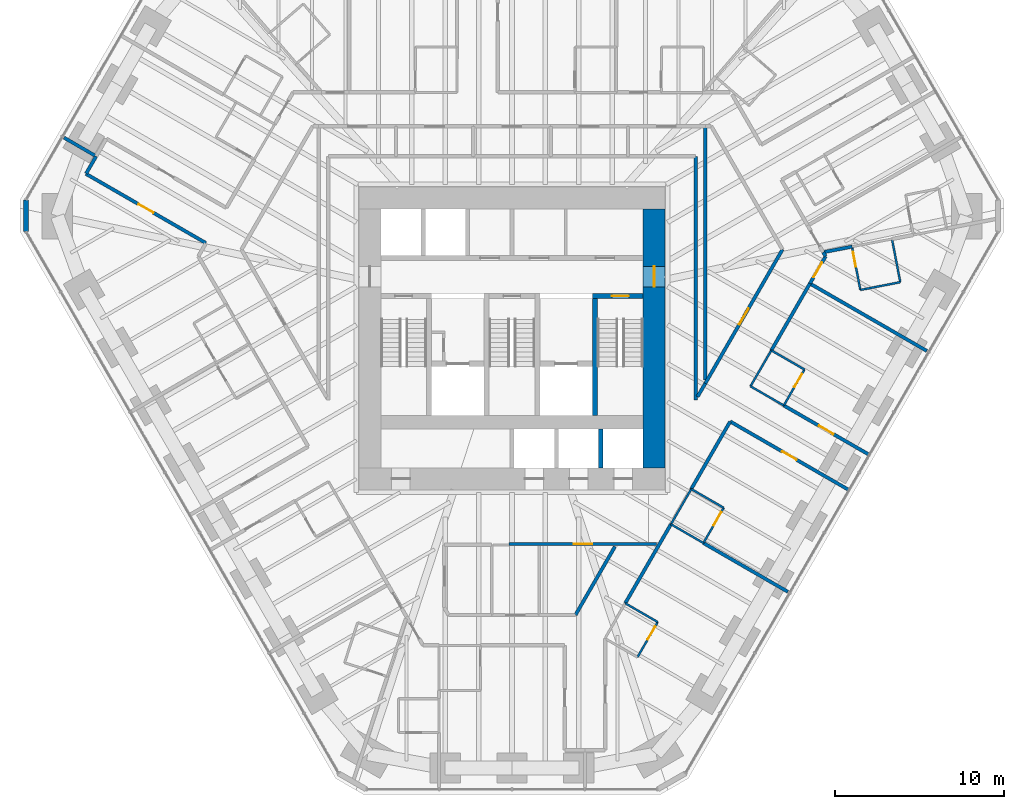
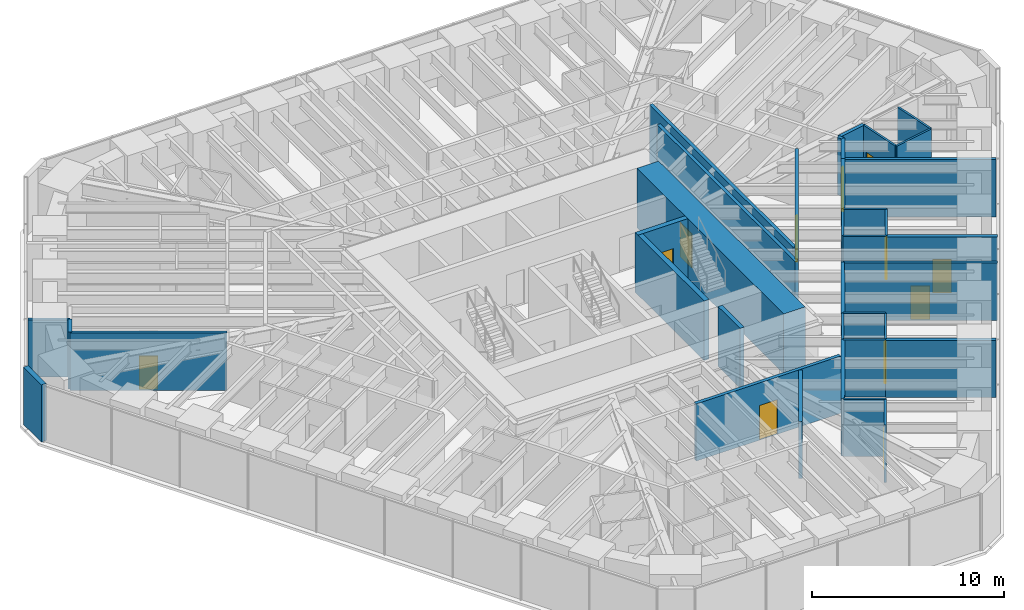
# One storey, part 13 of 17: 37 walls, 12 doors, 12 openings.
"""IFC4 building model written with IfcOpenShell, lengths in metres."""

from ifc_helpers import new_model, si_unit, direction, frame, frame_2d, origin, place, context, subcontext, project, spatial, rectangle, extrude, material, layer, layer_set, type_object, element, fill, save


model = new_model("IFC4")

# Units and contexts
model_context = context("Model", 3, precision=1e-05, world=origin(), true_north=direction((0.0, 1.0)))
body_context = subcontext(model_context, "Body", "Model", "MODEL_VIEW")
ifc_project = project(units=[si_unit("LENGTHUNIT", "METRE"), si_unit("AREAUNIT", "SQUARE_METRE"), si_unit("VOLUMEUNIT", "CUBIC_METRE"), si_unit("PLANEANGLEUNIT", "RADIAN"), si_unit("MASSUNIT", "GRAM", prefix="KILO")], contexts=[model_context])

# Site, building, storey
site_placement = place(None, origin())
site = spatial("IfcSite", under=ifc_project, at=site_placement, CompositionType="ELEMENT")
building_placement = place(site_placement, origin())
building = spatial("IfcBuilding", under=site, at=building_placement, Name="Sandreach Pilgrim Tower", CompositionType="ELEMENT")
storey_placement = place(building_placement, frame((0.0, 0.0, 123.39990234375)))
storey = spatial("IfcBuildingStorey", under=building, at=storey_placement, Name="L30", CompositionType="ELEMENT", Elevation=123.39990234375)

# Wall, opening, door
ifc_material_1 = material(Name="Moisture-resistant gypsum board on steel studs", Category="steel")
ifc_layer_1 = layer(ifc_material_1, 0.1201171875)
ifc_layer_set_1 = layer_set([ifc_layer_1], Name="Bathroom partition 120")
wall_type_1 = type_object("IfcWallType", Name="Bathroom partition 120", PredefinedType="PARTITIONING", material=ifc_layer_set_1)
wall_1_placement = place(storey_placement, frame((7.409912109375, -20.389892578125, 0.0), z_axis=(0.0, 0.0, 1.0), x_axis=(0.499737123639, 0.866177122335, 0.0)))
wall_1 = element("IfcWall", 1, at=wall_1_placement, inside=storey, type_object=wall_type_1, Name="Bathroom partition L30-116", PredefinedType="PARTITIONING", context=body_context, shape_type="SweptSolid", body=[
    extrude(rectangle(XDim=2.401123046875, YDim=0.1201171875, at=frame_2d((1.20068359375, 0.0))), origin(), (0.0, 0.0, 1.0), 3.64013671875),
])
opening_1_placement = place(wall_1_placement, frame((1.201416015625, 0.0, 0.0)))
opening_1 = element("IfcOpeningElement", 2, at=opening_1_placement, cuts=wall_1, Name="Opening D09-11B", PredefinedType="OPENING", context=body_context, shape_type="SweptSolid", body=[
    extrude(rectangle(XDim=0.89990234375, YDim=2.030029296875, at=frame_2d((0.449951171875, 1.01513671875))), frame((0.0, 0.06005859375, 0.0), z_axis=(0.0, -1.0, 0.0), x_axis=(1.0, 0.0, 0.0)), (0.0, 0.0, 1.0), 0.1201171875),
])
ifc_material_2 = material(Name="Timber door, steel frame", Category="steel")
door_type_1 = type_object("IfcDoorType", Name="Bathroom door", OperationType="SINGLE_SWING_LEFT", PredefinedType="DOOR", material=ifc_material_2)
door_1_placement = place(opening_1_placement, origin())
door_1 = element("IfcDoor", 3, at=door_1_placement, inside=storey, type_object=door_type_1, Name="Door 3011B", OperationType="SINGLE_SWING_RIGHT", OverallHeight=2.030029296875, OverallWidth=0.89990234375, PredefinedType="DOOR", context=body_context, shape_type="SweptSolid", body=[
    extrude(rectangle(XDim=0.89990234375, YDim=2.030029296875, at=frame_2d((0.449951171875, 1.01513671875))), frame((0.0, 0.02490234375, 0.0), z_axis=(0.0, -1.0, 0.0), x_axis=(1.0, 0.0, 0.0)), (0.0, 0.0, 1.0), 0.050048828125),
])
fill(opening_1, door_1)

# Walls
wall_2_placement = place(storey_placement, frame((8.610107421875, -18.31005859375, 0.0), z_axis=(0.0, 0.0, 1.0), x_axis=(-0.865732595383, 0.500506816428, 0.0)))
element("IfcWall", 4, at=wall_2_placement, inside=storey, type_object=wall_type_1, Name="Bathroom partition L30-118", PredefinedType="PARTITIONING", context=body_context, shape_type="SweptSolid", body=[
    extrude(rectangle(XDim=2.218017578125, YDim=0.1201171875, at=frame_2d((1.10888671875, 0.0))), origin(), (0.0, 0.0, 1.0), 3.64013671875),
])
wall_3_placement = place(storey_placement, frame((9.389892578125, -12.530029296875, 0.0), z_axis=(0.0, 0.0, 1.0), x_axis=(0.499769390944, 0.866158505053, 0.0)))
element("IfcWall", 5, at=wall_3_placement, inside=storey, type_object=wall_type_1, Name="Bathroom partition L30-121", PredefinedType="PARTITIONING", context=body_context, shape_type="SweptSolid", body=[
    extrude(rectangle(XDim=2.401611328125, YDim=0.1201171875, at=frame_2d((1.20068359375, 0.0))), origin(), (0.0, 0.0, 1.0), 3.64013671875),
])
wall_4_placement = place(storey_placement, frame((9.389892578125, -12.530029296875, 0.0), z_axis=(0.0, 0.0, 1.0), x_axis=(0.865732595383, -0.500506816428, 0.0)))
element("IfcWall", 6, at=wall_4_placement, inside=storey, type_object=wall_type_1, Name="Bathroom partition L30-122", PredefinedType="PARTITIONING", context=body_context, shape_type="SweptSolid", body=[
    extrude(rectangle(XDim=2.218017578125, YDim=0.1201171875, at=frame_2d((1.10888671875, 0.0))), origin(), (0.0, 0.0, 1.0), 3.64013671875),
])

# Wall, opening, door
wall_5_placement = place(storey_placement, frame((11.31005859375, -13.639892578125, 0.0), z_axis=(0.0, 0.0, 1.0), x_axis=(0.499737123639, 0.866177122335, 0.0)))
wall_5 = element("IfcWall", 7, at=wall_5_placement, inside=storey, type_object=wall_type_1, Name="Bathroom partition L30-127", PredefinedType="PARTITIONING", context=body_context, shape_type="SweptSolid", body=[
    extrude(rectangle(XDim=2.401123046875, YDim=0.1201171875, at=frame_2d((1.20068359375, 0.0))), origin(), (0.0, 0.0, 1.0), 3.64013671875),
])
opening_2_placement = place(wall_5_placement, frame((1.201416015625, 0.0, 0.0)))
opening_2 = element("IfcOpeningElement", 8, at=opening_2_placement, cuts=wall_5, Name="Opening D09-10B", PredefinedType="OPENING", context=body_context, shape_type="SweptSolid", body=[
    extrude(rectangle(XDim=0.89990234375, YDim=2.030029296875, at=frame_2d((0.449951171875, 1.01513671875))), frame((0.0, 0.06005859375, 0.0), z_axis=(0.0, -1.0, 0.0), x_axis=(1.0, 0.0, 0.0)), (0.0, 0.0, 1.0), 0.1201171875),
])
door_2_placement = place(opening_2_placement, origin())
door_2 = element("IfcDoor", 9, at=door_2_placement, inside=storey, type_object=door_type_1, Name="Door 3010B", OperationType="SINGLE_SWING_RIGHT", OverallHeight=2.030029296875, OverallWidth=0.89990234375, PredefinedType="DOOR", context=body_context, shape_type="SweptSolid", body=[
    extrude(rectangle(XDim=0.89990234375, YDim=2.030029296875, at=frame_2d((0.449951171875, 1.01513671875))), frame((0.0, 0.02490234375, 0.0), z_axis=(0.0, -1.0, 0.0), x_axis=(1.0, 0.0, 0.0)), (0.0, 0.0, 1.0), 0.050048828125),
])
fill(opening_2, door_2)

# Walls
wall_6_placement = place(storey_placement, frame((12.510009765625, -11.56005859375, 0.0), z_axis=(0.0, 0.0, 1.0), x_axis=(-0.865705017107, 0.500554515868, 0.0)))
element("IfcWall", 10, at=wall_6_placement, inside=storey, type_object=wall_type_1, Name="Bathroom partition L30-139", PredefinedType="PARTITIONING", context=body_context, shape_type="SweptSolid", body=[
    extrude(rectangle(XDim=2.2177734375, YDim=0.1201171875, at=frame_2d((1.10888671875, 0.0))), origin(), (0.0, 0.0, 1.0), 3.64013671875),
])
wall_7_placement = place(storey_placement, frame((14.090087890625, -4.3798828125, 0.0), z_axis=(0.0, 0.0, 1.0), x_axis=(0.501856726365, 0.86495076519, 0.0)))
element("IfcWall", 11, at=wall_7_placement, inside=storey, type_object=wall_type_1, Name="Bathroom partition L30-145", PredefinedType="PARTITIONING", context=body_context, shape_type="SweptSolid", body=[
    extrude(rectangle(XDim=2.450927734375, YDim=0.1201171875, at=frame_2d((1.2255859375, 0.0))), origin(), (0.0, 0.0, 1.0), 3.64013671875),
])
wall_8_placement = place(storey_placement, frame((14.090087890625, -4.3798828125, 0.0), z_axis=(0.0, 0.0, 1.0), x_axis=(0.866151579213, -0.499781394038, 0.0)))
element("IfcWall", 12, at=wall_8_placement, inside=storey, type_object=wall_type_1, Name="Bathroom partition L30-146", PredefinedType="PARTITIONING", context=body_context, shape_type="SweptSolid", body=[
    extrude(rectangle(XDim=2.27099609375, YDim=0.1201171875, at=frame_2d((1.135498046875, 0.0))), origin(), (0.0, 0.0, 1.0), 3.64013671875),
])

# Wall, opening, door
wall_9_placement = place(storey_placement, frame((16.06005859375, -5.510009765625, 0.0), z_axis=(0.0, 0.0, 1.0), x_axis=(0.498748634132, 0.866746675766, 0.0)))
wall_9 = element("IfcWall", 13, at=wall_9_placement, inside=storey, type_object=wall_type_1, Name="Bathroom partition L30-153", PredefinedType="PARTITIONING", context=body_context, shape_type="SweptSolid", body=[
    extrude(rectangle(XDim=2.446044921875, YDim=0.1201171875, at=frame_2d((1.22314453125, 0.0))), origin(), (0.0, 0.0, 1.0), 3.64013671875),
])
opening_3_placement = place(wall_9_placement, frame((1.24609375, 0.0, 0.0)))
opening_3 = element("IfcOpeningElement", 14, at=opening_3_placement, cuts=wall_9, Name="Opening D09-09B", PredefinedType="OPENING", context=body_context, shape_type="SweptSolid", body=[
    extrude(rectangle(XDim=0.89990234375, YDim=2.030029296875, at=frame_2d((0.449951171875, 1.01513671875))), frame((0.0, 0.06005859375, 0.0), z_axis=(0.0, -1.0, 0.0), x_axis=(1.0, 0.0, 0.0)), (0.0, 0.0, 1.0), 0.1201171875),
])
door_3_placement = place(opening_3_placement, origin())
door_3 = element("IfcDoor", 15, at=door_3_placement, inside=storey, type_object=door_type_1, Name="Door 3009B", OperationType="SINGLE_SWING_RIGHT", OverallHeight=2.030029296875, OverallWidth=0.89990234375, PredefinedType="DOOR", context=body_context, shape_type="SweptSolid", body=[
    extrude(rectangle(XDim=0.89990234375, YDim=2.030029296875, at=frame_2d((0.449951171875, 1.01513671875))), frame((0.0, 0.02490234375, 0.0), z_axis=(0.0, -1.0, 0.0), x_axis=(1.0, 0.0, 0.0)), (0.0, 0.0, 1.0), 0.050048828125),
])
fill(opening_3, door_3)

# Wall
wall_10_placement = place(storey_placement, frame((17.280029296875, -3.389892578125, 0.0), z_axis=(0.0, 0.0, 1.0), x_axis=(-0.86635082644, 0.49943592735, 0.0)))
element("IfcWall", 16, at=wall_10_placement, inside=storey, type_object=wall_type_1, Name="Bathroom partition L30-156", PredefinedType="PARTITIONING", context=body_context, shape_type="SweptSolid", body=[
    extrude(rectangle(XDim=2.26220703125, YDim=0.1201171875, at=frame_2d((1.131103515625, 0.0))), origin(), (0.0, 0.0, 1.0), 3.64013671875),
])

# Wall, opening, door
wall_11_placement = place(storey_placement, frame((20.090087890625, 3.8701171875, 0.0), z_axis=(0.0, 0.0, 1.0), x_axis=(0.187985762814, -0.982171753299, 0.0)))
wall_11 = element("IfcWall", 17, at=wall_11_placement, inside=storey, type_object=wall_type_1, Name="Bathroom partition L30-164", PredefinedType="PARTITIONING", context=body_context, shape_type="SweptSolid", body=[
    extrude(rectangle(XDim=2.6064453125, YDim=0.1201171875, at=frame_2d((1.30322265625, 0.0))), origin(), (0.0, 0.0, 1.0), 3.64013671875),
])
opening_4_placement = place(wall_11_placement, frame((0.300048828125, 0.0, 0.0)))
opening_4 = element("IfcOpeningElement", 18, at=opening_4_placement, cuts=wall_11, Name="Opening D09-08B", PredefinedType="OPENING", context=body_context, shape_type="SweptSolid", body=[
    extrude(rectangle(XDim=0.89990234375, YDim=2.030029296875, at=frame_2d((0.449951171875, 1.01513671875))), frame((0.0, 0.06005859375, 0.0), z_axis=(0.0, -1.0, 0.0), x_axis=(1.0, 0.0, 0.0)), (0.0, 0.0, 1.0), 0.1201171875),
])
door_4_placement = place(opening_4_placement, origin())
door_4 = element("IfcDoor", 19, at=door_4_placement, inside=storey, type_object=door_type_1, Name="Door 3008B", OperationType="SINGLE_SWING_LEFT", OverallHeight=2.030029296875, OverallWidth=0.89990234375, PredefinedType="DOOR", context=body_context, shape_type="SweptSolid", body=[
    extrude(rectangle(XDim=0.89990234375, YDim=2.030029296875, at=frame_2d((0.449951171875, 1.01513671875))), frame((0.0, 0.02490234375, 0.0), z_axis=(0.0, -1.0, 0.0), x_axis=(1.0, 0.0, 0.0)), (0.0, 0.0, 1.0), 0.050048828125),
])
fill(opening_4, door_4)

# Walls
wall_12_placement = place(storey_placement, frame((20.580078125, 1.31005859375, 0.0), z_axis=(0.0, 0.0, 1.0), x_axis=(0.981529676402, 0.191309943135, 0.0)))
element("IfcWall", 20, at=wall_12_placement, inside=storey, type_object=wall_type_1, Name="Bathroom partition L30-166", PredefinedType="PARTITIONING", context=body_context, shape_type="SweptSolid", body=[
    extrude(rectangle(XDim=2.404296875, YDim=0.1201171875, at=frame_2d((1.2021484375, 0.0))), origin(), (0.0, 0.0, 1.0), 3.64013671875),
])
wall_13_placement = place(storey_placement, frame((22.93994140625, 1.77001953125, 0.0), z_axis=(0.0, 0.0, 1.0), x_axis=(-0.188697442844, 0.982035271802, 0.0)))
element("IfcWall", 21, at=wall_13_placement, inside=storey, type_object=wall_type_1, Name="Bathroom partition L30-168", PredefinedType="PARTITIONING", context=body_context, shape_type="SweptSolid", body=[
    extrude(rectangle(XDim=2.5966796875, YDim=0.1201171875, at=frame_2d((1.29833984375, 0.0))), origin(), (0.0, 0.0, 1.0), 3.64013671875),
])
ifc_material_3 = material(Name="Concrete 10000 psi", Category="concrete")
ifc_layer_2 = layer(ifc_material_3, 0.300048828125)
ifc_layer_set_2 = layer_set([ifc_layer_2], Name="Core inner wall 300")
wall_type_2 = type_object("IfcWallType", Name="Core inner wall 300", PredefinedType="SHEAR", material=ifc_layer_set_2)
wall_14_placement = place(storey_placement, frame((4.89990234375, -6.10009765625, 0.0), z_axis=(0.0, 0.0, 1.0), x_axis=(0.0, 1.0, 0.0)))
element("IfcWall", 22, at=wall_14_placement, inside=storey, type_object=wall_type_2, Name="Core wall I3 L30", PredefinedType="SHEAR", context=body_context, shape_type="SweptSolid", body=[
    extrude(rectangle(XDim=7.2001953125, YDim=0.300048828125, at=frame_2d((3.60009765625, 0.0))), origin(), (0.0, 0.0, 1.0), 3.800048828125),
])

# Wall, opening, door
wall_15_placement = place(storey_placement, frame((4.75, 0.949951171875, 0.0), z_axis=(0.0, 0.0, 1.0), x_axis=(1.0, 0.0, 0.0)))
wall_15 = element("IfcWall", 23, at=wall_15_placement, inside=storey, type_object=wall_type_2, Name="Core wall SN2 L30", PredefinedType="SHEAR", context=body_context, shape_type="SweptSolid", body=[
    extrude(rectangle(XDim=3.0, YDim=0.300048828125, at=frame_2d((1.5, 0.0))), origin(), (0.0, 0.0, 1.0), 3.800048828125),
])
opening_5_placement = place(wall_15_placement, frame((1.14990234375, 0.0, 0.0)))
opening_5 = element("IfcOpeningElement", 24, at=opening_5_placement, cuts=wall_15, Name="Opening D10S-ST2", PredefinedType="OPENING", context=body_context, shape_type="SweptSolid", body=[
    extrude(rectangle(XDim=1.0, YDim=2.199951171875, at=frame_2d((0.5, 1.10009765625))), frame((0.0, 0.14990234375, 0.0), z_axis=(0.0, -1.0, 0.0), x_axis=(1.0, 0.0, 0.0)), (0.0, 0.0, 1.0), 0.300048828125),
])
ifc_material_4 = material(Name="Steel door and frame", Category="steel")
door_type_2 = type_object("IfcDoorType", Name="Stair door", OperationType="SINGLE_SWING_LEFT", PredefinedType="DOOR", material=ifc_material_4)
door_5_placement = place(opening_5_placement, origin())
door_5 = element("IfcDoor", 25, at=door_5_placement, inside=storey, type_object=door_type_2, Name="Stair door ST2 L30", OperationType="SINGLE_SWING_RIGHT", OverallHeight=2.199951171875, OverallWidth=1.0, PredefinedType="DOOR", context=body_context, shape_type="SweptSolid", body=[
    extrude(rectangle(XDim=1.0, YDim=2.199951171875, at=frame_2d((0.5, 1.10009765625))), frame((0.0, 0.02490234375, 0.0), z_axis=(0.0, -1.0, 0.0), x_axis=(1.0, 0.0, 0.0)), (0.0, 0.0, 1.0), 0.050048828125),
])
fill(opening_5, door_5)

ifc_material_5 = material(Name="Concrete 10000 psi", Category="concrete")
ifc_layer_3 = layer(ifc_material_5, 1.300048828125)
ifc_layer_set_3 = layer_set([ifc_layer_3], Name="Core wall 1300")
wall_type_3 = type_object("IfcWallType", Name="Core wall 1300", PredefinedType="SHEAR", material=ifc_layer_set_3)
wall_16_placement = place(storey_placement, frame((8.39990234375, -9.199951171875, 0.0), z_axis=(0.0, 0.0, 1.0), x_axis=(0.0, 1.0, 0.0)))
wall_16 = element("IfcWall", 26, at=wall_16_placement, inside=storey, type_object=wall_type_3, Name="Core wall E L30", PredefinedType="SHEAR", context=body_context, shape_type="SweptSolid", body=[
    extrude(rectangle(XDim=15.300048828125, YDim=1.300048828125, at=frame_2d((7.64990234375, 0.0))), origin(), (0.0, 0.0, 1.0), 3.800048828125),
])
opening_6_placement = place(wall_16_placement, frame((10.699951171875, 0.0, 0.0)))
opening_6 = element("IfcOpeningElement", 27, at=opening_6_placement, cuts=wall_16, Name="Opening D12F-E", PredefinedType="OPENING", context=body_context, shape_type="SweptSolid", body=[
    extrude(rectangle(XDim=1.199951171875, YDim=2.199951171875, at=frame_2d((0.60009765625, 1.10009765625))), frame((0.0, 0.64990234375, 0.0), z_axis=(0.0, -1.0, 0.0), x_axis=(1.0, 0.0, 0.0)), (0.0, 0.0, 1.0), 1.300048828125),
])
ifc_material_6 = material(Name="Steel door and frame", Category="steel")
door_type_3 = type_object("IfcDoorType", Name="Fire lobby door", OperationType="SINGLE_SWING_LEFT", PredefinedType="DOOR", material=ifc_material_6)
door_6_placement = place(opening_6_placement, origin())
door_6 = element("IfcDoor", 28, at=door_6_placement, inside=storey, type_object=door_type_3, Name="Fire service lobby door E L30", OperationType="SINGLE_SWING_RIGHT", OverallHeight=2.199951171875, OverallWidth=1.199951171875, PredefinedType="DOOR", context=body_context, shape_type="SweptSolid", body=[
    extrude(rectangle(XDim=1.199951171875, YDim=2.199951171875, at=frame_2d((0.60009765625, 1.10009765625))), frame((0.0, 0.02490234375, 0.0), z_axis=(0.0, -1.0, 0.0), x_axis=(1.0, 0.0, 0.0)), (0.0, 0.0, 1.0), 0.050048828125),
])
fill(opening_6, door_6)

ifc_material_7 = material(Name="Gypsum board on steel studs, two layers each side", Category="steel")
ifc_layer_4 = layer(ifc_material_7, 0.199951171875)
ifc_layer_set_4 = layer_set([ifc_layer_4], Name="Corridor wall 200")
wall_type_4 = type_object("IfcWallType", Name="Corridor wall 200", PredefinedType="PARTITIONING", material=ifc_layer_set_4)
wall_17_placement = place(storey_placement, frame((-25.169921875, 8.169921875, 0.0), z_axis=(0.0, 0.0, 1.0), x_axis=(0.866209421097, -0.499681137129, 0.0)))
wall_17 = element("IfcWall", 29, at=wall_17_placement, inside=storey, type_object=wall_type_4, Name="Corridor wall L30-002", PredefinedType="PARTITIONING", context=body_context, shape_type="SweptSolid", body=[
    extrude(rectangle(XDim=8.184814453125, YDim=0.199951171875, at=frame_2d((4.09228515625, 0.0))), origin(), (0.0, 0.0, 1.0), 3.64013671875),
])
opening_7_placement = place(wall_17_placement, frame((3.592529296875, 0.0, 0.0)))
opening_7 = element("IfcOpeningElement", 30, at=opening_7_placement, cuts=wall_17, Name="Opening D10-17", PredefinedType="OPENING", context=body_context, shape_type="SweptSolid", body=[
    extrude(rectangle(XDim=1.0, YDim=2.1298828125, at=frame_2d((0.5, 1.06494140625))), frame((0.0, 0.10009765625, 0.0), z_axis=(0.0, -1.0, 0.0), x_axis=(1.0, 0.0, 0.0)), (0.0, 0.0, 1.0), 0.199951171875),
])
ifc_material_8 = material(Name="Steel door and frame", Category="steel")
door_type_4 = type_object("IfcDoorType", Name="Guest room entry door", OperationType="SINGLE_SWING_LEFT", PredefinedType="DOOR", material=ifc_material_8)
door_7_placement = place(opening_7_placement, origin())
door_7 = element("IfcDoor", 31, at=door_7_placement, inside=storey, type_object=door_type_4, Name="Door 3017", OperationType="SINGLE_SWING_LEFT", OverallHeight=2.1298828125, OverallWidth=1.0, PredefinedType="DOOR", context=body_context, shape_type="SweptSolid", body=[
    extrude(rectangle(XDim=1.0, YDim=2.1298828125, at=frame_2d((0.5, 1.06494140625))), frame((0.0, 0.02490234375, 0.0), z_axis=(0.0, -1.0, 0.0), x_axis=(1.0, 0.0, 0.0)), (0.0, 0.0, 1.0), 0.050048828125),
])
fill(opening_7, door_7)

# Walls
wall_18_placement = place(storey_placement, frame((-25.16259765625, 8.18310546875, 0.0), z_axis=(0.0, 0.0, 1.0), x_axis=(0.499793761865, 0.866144442689, 0.0)))
element("IfcWall", 32, at=wall_18_placement, inside=storey, type_object=wall_type_4, Name="Corridor wall L30-003", PredefinedType="PARTITIONING", context=body_context, shape_type="SweptSolid", body=[
    extrude(rectangle(XDim=1.185546875, YDim=0.199951171875, at=frame_2d((0.5927734375, 0.0))), origin(), (0.0, 0.0, 1.0), 3.64013671875),
])
wall_19_placement = place(storey_placement, frame((6.08251953125, -13.849609375, 0.0), z_axis=(0.0, 0.0, 1.0), x_axis=(-0.499977643516, -0.866038310922, 0.0)))
element("IfcWall", 33, at=wall_19_placement, inside=storey, type_object=wall_type_4, Name="Corridor wall L30-107", PredefinedType="PARTITIONING", context=body_context, shape_type="SweptSolid", body=[
    extrude(rectangle(XDim=4.665283203125, YDim=0.199951171875, at=frame_2d((2.33251953125, 0.0))), origin(), (0.0, 0.0, 1.0), 3.64013671875),
])
wall_20_placement = place(storey_placement, frame((6.68994140625, -17.199951171875, 0.0), z_axis=(0.0, 0.0, 1.0), x_axis=(0.500524150216, 0.865722573952, 0.0)))
element("IfcWall", 34, at=wall_20_placement, inside=storey, type_object=wall_type_4, Name="Corridor wall L30-112", PredefinedType="PARTITIONING", context=body_context, shape_type="SweptSolid", body=[
    extrude(rectangle(XDim=5.394287109375, YDim=0.199951171875, at=frame_2d((2.697265625, 0.0))), origin(), (0.0, 0.0, 1.0), 3.64013671875),
])

# Wall, opening, door
wall_21_placement = place(storey_placement, frame((8.5380859375, -13.699951171875, 0.0), z_axis=(0.0, 0.0, 1.0), x_axis=(-1.0, 0.0, 0.0)))
wall_21 = element("IfcWall", 35, at=wall_21_placement, inside=storey, type_object=wall_type_4, Name="Corridor wall L30-117", PredefinedType="PARTITIONING", context=body_context, shape_type="SweptSolid", body=[
    extrude(rectangle(XDim=8.7080078125, YDim=0.199951171875, at=frame_2d((4.35400390625, 0.0))), origin(), (0.0, 0.0, 1.0), 3.64013671875),
])
opening_8_placement = place(wall_21_placement, frame((3.80419921875, 0.0, 0.0)))
opening_8 = element("IfcOpeningElement", 36, at=opening_8_placement, cuts=wall_21, Name="Opening D11H-S4", PredefinedType="OPENING", context=body_context, shape_type="SweptSolid", body=[
    extrude(rectangle(XDim=1.10009765625, YDim=2.199951171875, at=frame_2d((0.550048828125, 1.10009765625))), frame((0.0, 0.10009765625, 0.0), z_axis=(0.0, -1.0, 0.0), x_axis=(1.0, 0.0, 0.0)), (0.0, 0.0, 1.0), 0.199951171875),
])
ifc_material_9 = material(Name="Steel door and frame", Category="steel")
door_type_5 = type_object("IfcDoorType", Name="Back of house door", OperationType="SINGLE_SWING_LEFT", PredefinedType="DOOR", material=ifc_material_9)
door_8_placement = place(opening_8_placement, origin())
door_8 = element("IfcDoor", 37, at=door_8_placement, inside=storey, type_object=door_type_5, Name="Door 30S4", OperationType="SINGLE_SWING_LEFT", OverallHeight=2.199951171875, OverallWidth=1.10009765625, PredefinedType="DOOR", context=body_context, shape_type="SweptSolid", body=[
    extrude(rectangle(XDim=1.10009765625, YDim=2.199951171875, at=frame_2d((0.550048828125, 1.10009765625))), frame((0.0, 0.02490234375, 0.0), z_axis=(0.0, -1.0, 0.0), x_axis=(1.0, 0.0, 0.0)), (0.0, 0.0, 1.0), 0.050048828125),
])
fill(opening_8, door_8)

# Walls
wall_22_placement = place(storey_placement, frame((10.590087890625, -10.449951171875, 0.0), z_axis=(0.0, 0.0, 1.0), x_axis=(0.499408130876, 0.866366850021, 0.0)))
element("IfcWall", 38, at=wall_22_placement, inside=storey, type_object=wall_type_4, Name="Corridor wall L30-123", PredefinedType="PARTITIONING", context=body_context, shape_type="SweptSolid", body=[
    extrude(rectangle(XDim=4.59521484375, YDim=0.199951171875, at=frame_2d((2.297607421875, 0.0))), origin(), (0.0, 0.0, 1.0), 3.64013671875),
])
wall_23_placement = place(storey_placement, frame((10.85009765625, -5.18994140625, 0.0), z_axis=(0.0, 0.0, 1.0), x_axis=(0.0, 1.0, 0.0)))
element("IfcWall", 39, at=wall_23_placement, inside=storey, type_object=wall_type_4, Name="Corridor wall L30-125", PredefinedType="PARTITIONING", context=body_context, shape_type="SweptSolid", body=[
    extrude(rectangle(XDim=14.389892578125, YDim=0.199951171875, at=frame_2d((7.19482421875, 0.0))), origin(), (0.0, 0.0, 1.0), 3.64013671875),
])
wall_24_placement = place(storey_placement, frame((11.419921875, -4.2099609375, 0.0), z_axis=(0.0, 0.0, 1.0), x_axis=(-0.502657614045, -0.8644855829, 0.0)))
element("IfcWall", 40, at=wall_24_placement, inside=storey, type_object=wall_type_4, Name="Corridor wall L30-132", PredefinedType="PARTITIONING", context=body_context, shape_type="SweptSolid", body=[
    extrude(rectangle(XDim=0.91357421875, YDim=0.199951171875, at=frame_2d((0.456787109375, 0.0))), origin(), (0.0, 0.0, 1.0), 3.64013671875),
])

# Wall, opening, door
wall_25_placement = place(storey_placement, frame((12.889892578125, -6.4599609375, 0.0), z_axis=(0.0, 0.0, 1.0), x_axis=(0.866181559118, -0.499729433437, 0.0)))
wall_25 = element("IfcWall", 41, at=wall_25_placement, inside=storey, type_object=wall_type_4, Name="Corridor wall L30-141", PredefinedType="PARTITIONING", context=body_context, shape_type="SweptSolid", body=[
    extrude(rectangle(XDim=8.07470703125, YDim=0.199951171875, at=frame_2d((4.037353515625, 0.0))), origin(), (0.0, 0.0, 1.0), 3.64013671875),
])
opening_9_placement = place(wall_25_placement, frame((3.537353515625, 0.0, 0.0)))
opening_9 = element("IfcOpeningElement", 42, at=opening_9_placement, cuts=wall_25, Name="Opening D10-10", PredefinedType="OPENING", context=body_context, shape_type="SweptSolid", body=[
    extrude(rectangle(XDim=1.0, YDim=2.1298828125, at=frame_2d((0.5, 1.06494140625))), frame((0.0, 0.10009765625, 0.0), z_axis=(0.0, -1.0, 0.0), x_axis=(1.0, 0.0, 0.0)), (0.0, 0.0, 1.0), 0.199951171875),
])
door_9_placement = place(opening_9_placement, origin())
door_9 = element("IfcDoor", 43, at=door_9_placement, inside=storey, type_object=door_type_4, Name="Door 3010", OperationType="SINGLE_SWING_LEFT", OverallHeight=2.1298828125, OverallWidth=1.0, PredefinedType="DOOR", context=body_context, shape_type="SweptSolid", body=[
    extrude(rectangle(XDim=1.0, YDim=2.1298828125, at=frame_2d((0.5, 1.06494140625))), frame((0.0, 0.02490234375, 0.0), z_axis=(0.0, -1.0, 0.0), x_axis=(1.0, 0.0, 0.0)), (0.0, 0.0, 1.0), 0.050048828125),
])
fill(opening_9, door_9)

# Wall
wall_26_placement = place(storey_placement, frame((15.320068359375, -2.260009765625, 0.0), z_axis=(0.0, 0.0, 1.0), x_axis=(0.499921709333, 0.866070600204, 0.0)))
element("IfcWall", 44, at=wall_26_placement, inside=storey, type_object=wall_type_4, Name="Corridor wall L30-147", PredefinedType="PARTITIONING", context=body_context, shape_type="SweptSolid", body=[
    extrude(rectangle(XDim=4.560791015625, YDim=0.199951171875, at=frame_2d((2.2802734375, 0.0))), origin(), (0.0, 0.0, 1.0), 3.64013671875),
])

# Wall, opening, door
wall_27_placement = place(storey_placement, frame((15.97998046875, 3.699951171875, 0.0), z_axis=(0.0, 0.0, 1.0), x_axis=(-0.499446957289, -0.866344467781, 0.0)))
wall_27 = element("IfcWall", 45, at=wall_27_placement, inside=storey, type_object=wall_type_4, Name="Corridor wall L30-151", PredefinedType="PARTITIONING", context=body_context, shape_type="SweptSolid", body=[
    extrude(rectangle(XDim=9.130126953125, YDim=0.199951171875, at=frame_2d((4.56494140625, 0.0))), origin(), (0.0, 0.0, 1.0), 3.64013671875),
])
opening_10_placement = place(wall_27_placement, frame((4.01513671875, 0.0, 0.0)))
opening_10 = element("IfcOpeningElement", 46, at=opening_10_placement, cuts=wall_27, Name="Opening D11H-M07", PredefinedType="OPENING", context=body_context, shape_type="SweptSolid", body=[
    extrude(rectangle(XDim=1.10009765625, YDim=2.199951171875, at=frame_2d((0.550048828125, 1.10009765625))), frame((0.0, 0.10009765625, 0.0), z_axis=(0.0, -1.0, 0.0), x_axis=(1.0, 0.0, 0.0)), (0.0, 0.0, 1.0), 0.199951171875),
])
door_10_placement = place(opening_10_placement, origin())
door_10 = element("IfcDoor", 47, at=door_10_placement, inside=storey, type_object=door_type_5, Name="Door 30M07", OperationType="SINGLE_SWING_LEFT", OverallHeight=2.199951171875, OverallWidth=1.10009765625, PredefinedType="DOOR", context=body_context, shape_type="SweptSolid", body=[
    extrude(rectangle(XDim=1.10009765625, YDim=2.199951171875, at=frame_2d((0.550048828125, 1.10009765625))), frame((0.0, 0.02490234375, 0.0), z_axis=(0.0, -1.0, 0.0), x_axis=(1.0, 0.0, 0.0)), (0.0, 0.0, 1.0), 0.050048828125),
])
fill(opening_10, door_10)

wall_28_placement = place(storey_placement, frame((16.05712890625, -5.514892578125, 0.0), z_axis=(0.0, 0.0, 1.0), x_axis=(0.866182784606, -0.499727309292, 0.0)))
wall_28 = element("IfcWall", 48, at=wall_28_placement, inside=storey, type_object=wall_type_4, Name="Corridor wall L30-152", PredefinedType="PARTITIONING", context=body_context, shape_type="SweptSolid", body=[
    extrude(rectangle(XDim=5.803466796875, YDim=0.199951171875, at=frame_2d((2.90185546875, 0.0))), origin(), (0.0, 0.0, 1.0), 3.64013671875),
])
opening_11_placement = place(wall_28_placement, frame((2.401611328125, 0.0, 0.0)))
opening_11 = element("IfcOpeningElement", 49, at=opening_11_placement, cuts=wall_28, Name="Opening D10-09", PredefinedType="OPENING", context=body_context, shape_type="SweptSolid", body=[
    extrude(rectangle(XDim=1.0, YDim=2.1298828125, at=frame_2d((0.5, 1.06494140625))), frame((0.0, 0.10009765625, 0.0), z_axis=(0.0, -1.0, 0.0), x_axis=(1.0, 0.0, 0.0)), (0.0, 0.0, 1.0), 0.199951171875),
])
door_11_placement = place(opening_11_placement, origin())
door_11 = element("IfcDoor", 50, at=door_11_placement, inside=storey, type_object=door_type_4, Name="Door 3009", OperationType="SINGLE_SWING_LEFT", OverallHeight=2.1298828125, OverallWidth=1.0, PredefinedType="DOOR", context=body_context, shape_type="SweptSolid", body=[
    extrude(rectangle(XDim=1.0, YDim=2.1298828125, at=frame_2d((0.5, 1.06494140625))), frame((0.0, 0.02490234375, 0.0), z_axis=(0.0, -1.0, 0.0), x_axis=(1.0, 0.0, 0.0)), (0.0, 0.0, 1.0), 0.050048828125),
])
fill(opening_11, door_11)

wall_29_placement = place(storey_placement, frame((17.60009765625, 1.68994140625, 0.0), z_axis=(0.0, 0.0, 1.0), x_axis=(0.50013539823, 0.865947217466, 0.0)))
wall_29 = element("IfcWall", 51, at=wall_29_placement, inside=storey, type_object=wall_type_4, Name="Corridor wall L30-158", PredefinedType="PARTITIONING", context=body_context, shape_type="SweptSolid", body=[
    extrude(rectangle(XDim=1.859375, YDim=0.199951171875, at=frame_2d((0.9296875, 0.0))), origin(), (0.0, 0.0, 1.0), 3.64013671875),
])
opening_12_placement = place(wall_29_placement, frame((0.4296875, 0.0, 0.0)))
opening_12 = element("IfcOpeningElement", 52, at=opening_12_placement, cuts=wall_29, Name="Opening D10-08", PredefinedType="OPENING", context=body_context, shape_type="SweptSolid", body=[
    extrude(rectangle(XDim=1.0, YDim=2.1298828125, at=frame_2d((0.5, 1.06494140625))), frame((0.0, 0.10009765625, 0.0), z_axis=(0.0, -1.0, 0.0), x_axis=(1.0, 0.0, 0.0)), (0.0, 0.0, 1.0), 0.199951171875),
])
door_12_placement = place(opening_12_placement, origin())
door_12 = element("IfcDoor", 53, at=door_12_placement, inside=storey, type_object=door_type_4, Name="Door 3008", OperationType="SINGLE_SWING_LEFT", OverallHeight=2.1298828125, OverallWidth=1.0, PredefinedType="DOOR", context=body_context, shape_type="SweptSolid", body=[
    extrude(rectangle(XDim=1.0, YDim=2.1298828125, at=frame_2d((0.5, 1.06494140625))), frame((0.0, 0.02490234375, 0.0), z_axis=(0.0, -1.0, 0.0), x_axis=(1.0, 0.0, 0.0)), (0.0, 0.0, 1.0), 0.050048828125),
])
fill(opening_12, door_12)

# Walls
wall_30_placement = place(storey_placement, frame((18.386962890625, 3.538330078125, 0.0), z_axis=(0.0, 0.0, 1.0), x_axis=(0.514754090884, -0.857337871506, 0.0)))
element("IfcWall", 54, at=wall_30_placement, inside=storey, type_object=wall_type_4, Name="Corridor wall L30-160", PredefinedType="PARTITIONING", context=body_context, shape_type="SweptSolid", body=[
    extrude(rectangle(XDim=0.27783203125, YDim=0.199951171875, at=frame_2d((0.138916015625, 0.0))), origin(), (0.0, 0.0, 1.0), 3.64013671875),
])
ifc_material_10 = material(Name="Double steel stud acoustic wall, gypsum board", Category="steel")
ifc_layer_5 = layer(ifc_material_10, 0.199951171875)
ifc_layer_set_5 = layer_set([ifc_layer_5], Name="Party wall 200")
wall_type_5 = type_object("IfcWallType", Name="Party wall 200", PredefinedType="PARTITIONING", material=ifc_layer_set_5)
wall_31_placement = place(storey_placement, frame((-26.46630859375, 10.309814453125, 0.0), z_axis=(0.0, 0.0, 1.0), x_axis=(0.865037029405, -0.501708020425, 0.0)))
element("IfcWall", 55, at=wall_31_placement, inside=storey, type_object=wall_type_5, Name="Party wall L30-001", PredefinedType="PARTITIONING", context=body_context, shape_type="SweptSolid", body=[
    extrude(rectangle(XDim=2.17724609375, YDim=0.199951171875, at=frame_2d((1.088623046875, 0.0))), origin(), (0.0, 0.0, 1.0), 3.64013671875),
])
wall_32_placement = place(storey_placement, frame((11.31005859375, -13.639892578125, 0.0), z_axis=(0.0, 0.0, 1.0), x_axis=(0.865919350456, -0.50018364478, 0.0)))
element("IfcWall", 56, at=wall_32_placement, inside=storey, type_object=wall_type_5, Name="Party wall L30-128", PredefinedType="PARTITIONING", context=body_context, shape_type="SweptSolid", body=[
    extrude(rectangle(XDim=5.758056640625, YDim=0.199951171875, at=frame_2d((2.87890625, 0.0))), origin(), (0.0, 0.0, 1.0), 3.64013671875),
])
wall_33_placement = place(storey_placement, frame((11.419921875, 10.97998046875, 0.0), z_axis=(0.0, 0.0, 1.0), x_axis=(0.0, -1.0, 0.0)))
element("IfcWall", 57, at=wall_33_placement, inside=storey, type_object=wall_type_5, Name="Party wall L30-133", PredefinedType="PARTITIONING", context=body_context, shape_type="SweptSolid", body=[
    extrude(rectangle(XDim=14.98486328125, YDim=0.199951171875, at=frame_2d((7.492431640625, 0.0))), origin(), (0.0, 0.0, 1.0), 3.64013671875),
])
wall_34_placement = place(storey_placement, frame((18.43408203125, 3.548583984375, 0.0), z_axis=(0.0, 0.0, 1.0), x_axis=(0.981694395029, 0.190462896043, 0.0)))
element("IfcWall", 58, at=wall_34_placement, inside=storey, type_object=wall_type_5, Name="Party wall L30-161", PredefinedType="PARTITIONING", context=body_context, shape_type="SweptSolid", body=[
    extrude(rectangle(XDim=1.686767578125, YDim=0.199951171875, at=frame_2d((0.84326171875, 0.0))), origin(), (0.0, 0.0, 1.0), 3.64013671875),
])
wall_35_placement = place(storey_placement, frame((24.506103515625, -2.2900390625, 0.0), z_axis=(0.0, 0.0, 1.0), x_axis=(-0.866422539587, 0.499311508876, 0.0)))
element("IfcWall", 59, at=wall_35_placement, inside=storey, type_object=wall_type_5, Name="Party wall L30-172", PredefinedType="PARTITIONING", context=body_context, shape_type="SweptSolid", body=[
    extrude(rectangle(XDim=7.955810546875, YDim=0.199951171875, at=frame_2d((3.97802734375, 0.0))), origin(), (0.0, 0.0, 1.0), 3.64013671875),
])
ifc_material_11 = material(Name="Gypsum shaft wall on steel studs, two layers of shaft liner board", Category="steel")
ifc_layer_6 = layer(ifc_material_11, 0.25)
ifc_layer_set_6 = layer_set([ifc_layer_6], Name="Shaft partition 250")
wall_type_6 = type_object("IfcWallType", Name="Shaft partition 250", PredefinedType="PARTITIONING", material=ifc_layer_set_6)
wall_36_placement = place(storey_placement, frame((5.25, -9.199951171875, 0.0), z_axis=(0.0, 0.0, 1.0), x_axis=(0.0, 1.0, 0.0)))
element("IfcWall", 60, at=wall_36_placement, inside=storey, type_object=wall_type_6, Name="Shaft partition XS4 L30", PredefinedType="PARTITIONING", context=body_context, shape_type="SweptSolid", body=[
    extrude(rectangle(XDim=2.300048828125, YDim=0.25, at=frame_2d((1.14990234375, 0.0))), origin(), (0.0, 0.0, 1.0), 3.800048828125),
])
ifc_material_12 = material(Name="Terracotta rainscreen on concrete", Category="masonry")
ifc_layer_7 = layer(ifc_material_12, 0.300048828125)
ifc_layer_set_7 = layer_set([ifc_layer_7], Name="Terracotta chamfer pier")
wall_type_7 = type_object("IfcWallType", Name="Terracotta chamfer pier", PredefinedType="SOLIDWALL", material=ifc_layer_set_7)
wall_37_placement = place(storey_placement, frame((-28.720947265625, 4.758544921875, 0.0), z_axis=(0.0, 0.0, 1.0), x_axis=(0.0, 1.0, 0.0)))
element("IfcWall", 61, at=wall_37_placement, inside=storey, type_object=wall_type_7, Name="Chamfer pier L30 SW", PredefinedType="SOLIDWALL", context=body_context, shape_type="SweptSolid", body=[
    extrude(rectangle(XDim=1.8798828125, YDim=0.300048828125, at=frame_2d((0.93994140625, 0.0))), origin(), (0.0, 0.0, 1.0), 3.64013671875),
])

save(model, "model.ifc")
